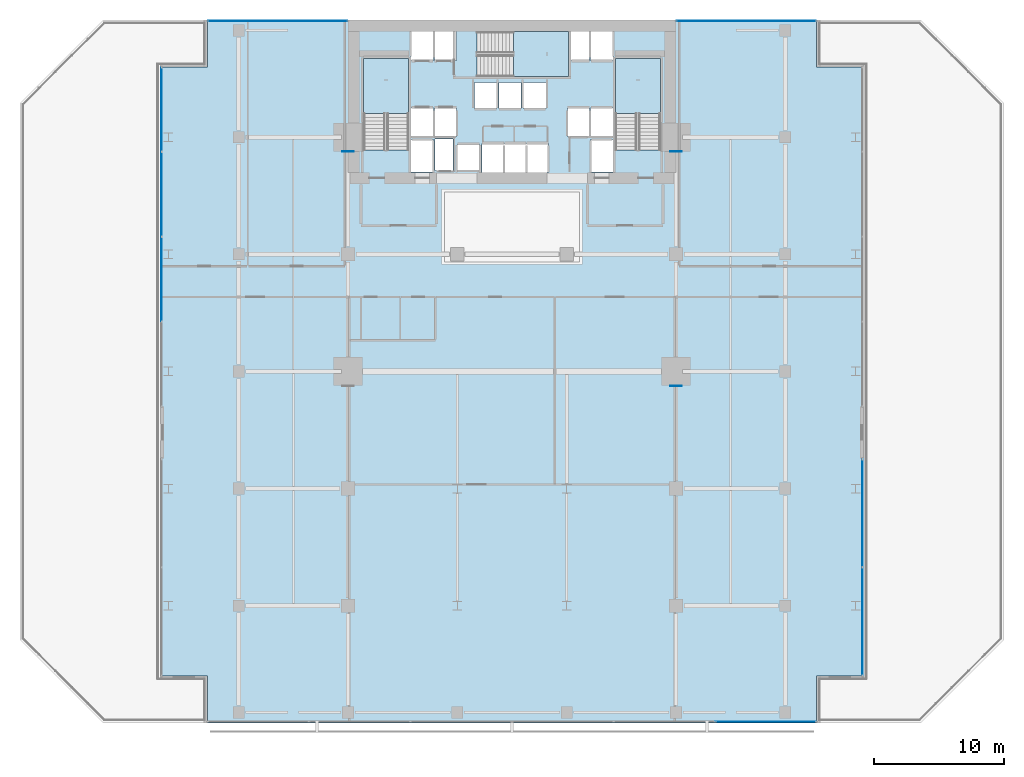
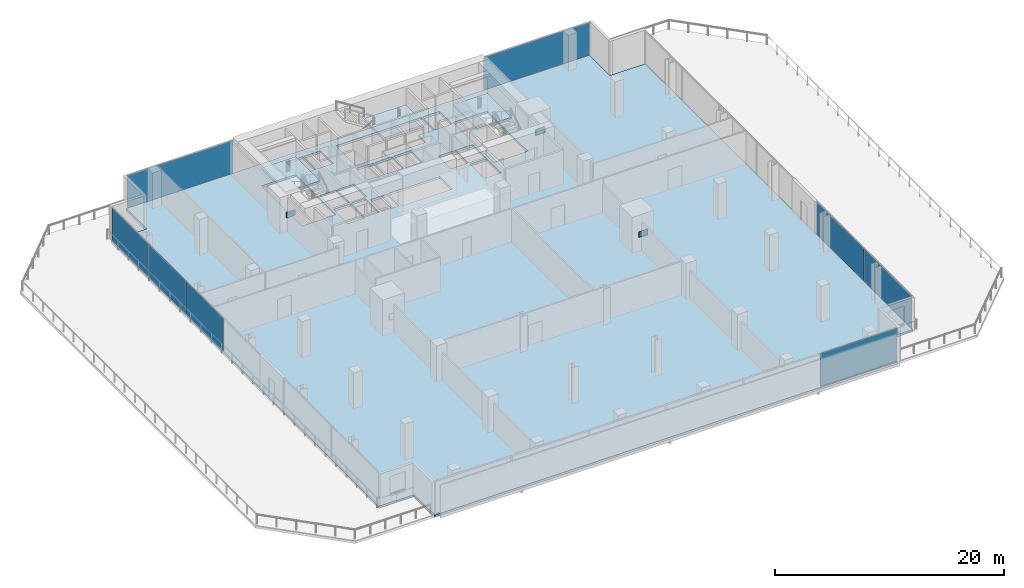
# One storey, part 23 of 31: 11 plates, 4 slabs, 8 elements without a shape of their own.
"""IFC4 building model written with IfcOpenShell, lengths in metres."""

import ifcopenshell
import ifcopenshell.guid

model = None  # the IFC model being written
_history = None  # IfcOwnerHistory: only IFC2X3 demands one
_inside = {}  # id of a spatial element -> (the spatial element, [elements in it])
_under = {}  # id of a project, library or spatial element -> (it, [spatial elements below it])
_declared = {}  # id of a project -> (the project, [libraries it declares])
_typed = {}  # id of a type object -> (the type object, [elements of that type])
_made_of = {}  # id of a material, layer set ... -> (it, [elements and type objects made of it])


def new_model(schema):
    """Start an empty IFC model of exactly this schema.

    Asked for "IFC4X3", IfcOpenShell would pick the latest addendum, in which some entities
    have other attributes; the version numbers below select the first issue.
    IFC2X3 requires an IfcOwnerHistory on every rooted entity: one is made here for all.
    """
    global model, _history
    if schema == "IFC4X3":
        model = ifcopenshell.file(schema_version=(4, 3, 0, 0))
    else:
        model = ifcopenshell.file(schema=schema)
    _inside.clear()
    _under.clear()
    _declared.clear()
    _typed.clear()
    _made_of.clear()
    _history = None
    if model.schema == "IFC2X3":
        org = make("IfcOrganization", Name="unknown")
        user = make(
            "IfcPersonAndOrganization",
            ThePerson=make("IfcPerson", FamilyName="unknown"),
            TheOrganization=org,
        )
        app = make(
            "IfcApplication",
            ApplicationDeveloper=org,
            Version="unknown",
            ApplicationFullName="unknown",
            ApplicationIdentifier="unknown",
        )
        _history = make(
            "IfcOwnerHistory",
            OwningUser=user,
            OwningApplication=app,
            ChangeAction="ADDED",
            CreationDate=0,
        )
    return model


def make(cls, **values):
    """One entity of the class cls with the attributes given. An attribute that is None is left unset."""
    return model.create_entity(
        cls, **{name: value for name, value in values.items() if value is not None}
    )


def rooted(cls, **values):
    """An entity with a GlobalId (a new one), such as an element, a storey or a relation."""
    return make(cls, GlobalId=ifcopenshell.guid.new(), OwnerHistory=_history, **values)


def si_unit(unit_type, name, prefix=None):
    """IfcSIUnit, for example si_unit("LENGTHUNIT", "METRE", prefix="MILLI")."""
    return make("IfcSIUnit", UnitType=unit_type, Prefix=prefix, Name=name)


def assignment(units):
    """IfcUnitAssignment: the units of a project."""
    return None if units is None else make("IfcUnitAssignment", Units=units)


def point(xyz):
    """IfcCartesianPoint."""
    return None if xyz is None else make("IfcCartesianPoint", Coordinates=xyz)


def direction(xyz):
    """IfcDirection."""
    return None if xyz is None else make("IfcDirection", DirectionRatios=xyz)


def frame(location, z_axis=None, x_axis=None):
    """IfcAxis2Placement3D, a coordinate frame: its origin and axes. An axis left out is left unset."""
    return make(
        "IfcAxis2Placement3D",
        Location=point(location),
        Axis=direction(z_axis),
        RefDirection=direction(x_axis),
    )


def frame_2d(location, x_axis=None):
    """IfcAxis2Placement2D, a coordinate frame in the plane: its origin and x axis."""
    return make(
        "IfcAxis2Placement2D", Location=point(location), RefDirection=direction(x_axis)
    )


def origin():
    """The frame at (0, 0, 0) with its axes left unset."""
    return frame((0.0, 0.0, 0.0))


def origin_2d():
    """The frame at (0, 0) in the plane with its x axis left unset."""
    return frame_2d((0.0, 0.0))


def place(relative_to, where):
    """IfcLocalPlacement: puts the frame where relative to a parent placement (None: the world)."""
    return make(
        "IfcLocalPlacement", PlacementRelTo=relative_to, RelativePlacement=where
    )


def context(
    kind, dimensions, precision=None, world=None, true_north=None, identifier=None
):
    """IfcGeometricRepresentationContext, for example the 3D "Model" context."""
    return make(
        "IfcGeometricRepresentationContext",
        ContextIdentifier=identifier,
        ContextType=kind,
        CoordinateSpaceDimension=dimensions,
        Precision=precision,
        WorldCoordinateSystem=world,
        TrueNorth=true_north,
    )


def subcontext(parent, identifier, kind, view, scale=None):
    """IfcGeometricRepresentationSubContext, for example "Body" below "Model"."""
    return make(
        "IfcGeometricRepresentationSubContext",
        ContextIdentifier=identifier,
        ContextType=kind,
        ParentContext=parent,
        TargetScale=scale,
        TargetView=view,
    )


def project(units=None, contexts=None):
    """IfcProject with its units and contexts."""
    return rooted(
        "IfcProject",
        Name="project",
        RepresentationContexts=contexts,
        UnitsInContext=assignment(units),
    )


def spatial(cls, under=None, at=None, **own):
    """A site, building, storey or space (cls), placed at a placement, below another one or the project."""
    s = rooted(cls, ObjectPlacement=at, **own)
    if under is not None:
        _under.setdefault(under.id(), (under, []))[1].append(s)
    return s


def polyline(points):
    """IfcPolyline through the points."""
    return make("IfcPolyline", Points=[point(p) for p in points])


def profile(cls, at=None, kind="AREA", **sizes):
    """A parametric profile (cls). Its sizes go by their IFC names, for example OverallWidth=200.0."""
    return make(cls, ProfileType=kind, Position=at, **sizes)


def rectangle(**sizes):
    """IfcRectangleProfileDef."""
    return profile("IfcRectangleProfileDef", **sizes)


def outline(outer, holes=None, kind="AREA"):
    """IfcArbitraryClosedProfileDef: a profile drawn as a closed curve; with holes, ...WithVoids."""
    if holes is None:
        return make("IfcArbitraryClosedProfileDef", ProfileType=kind, OuterCurve=outer)
    return make(
        "IfcArbitraryProfileDefWithVoids",
        ProfileType=kind,
        OuterCurve=outer,
        InnerCurves=holes,
    )


def extrude(swept, where, along, depth):
    """IfcExtrudedAreaSolid: the profile swept, set in the frame where, extruded along a direction by depth."""
    return make(
        "IfcExtrudedAreaSolid",
        SweptArea=swept,
        Position=where,
        ExtrudedDirection=direction(along),
        Depth=depth,
    )


def shape(context_of_items, identifier, shape_type, items):
    """IfcShapeRepresentation: the items that make up one representation, for example the "Body"."""
    return make(
        "IfcShapeRepresentation",
        ContextOfItems=context_of_items,
        RepresentationIdentifier=identifier,
        RepresentationType=shape_type,
        Items=items,
    )


def material(Name=None, Category=None):
    """IfcMaterial."""
    return make("IfcMaterial", Name=Name, Category=Category)


def layer(
    of_material, thickness, ventilated=None, Name=None, Category=None, Priority=None
):
    """IfcMaterialLayer: one layer of a wall or slab, of a material (None: an air gap)."""
    return make(
        "IfcMaterialLayer",
        Material=of_material,
        LayerThickness=thickness,
        IsVentilated=ventilated,
        Name=Name,
        Category=Category,
        Priority=Priority,
    )


def layer_set(layers, Name=None):
    """IfcMaterialLayerSet."""
    return make("IfcMaterialLayerSet", MaterialLayers=layers, LayerSetName=Name)


def made_of(thing, what):
    """Note that an element or type object is made of a material, layer set ...; save() writes the relation."""
    if what is not None:
        _made_of.setdefault(what.id(), (what, []))[1].append(thing)
    return thing


def type_object(cls, material=None, **own):
    """A type object (cls), such as IfcWallType, which elements share."""
    return made_of(rooted(cls, **own), material)


def element(
    cls,
    number,
    at=None,
    inside=None,
    cuts=None,
    type_object=None,
    material=None,
    context=None,
    identifier="Body",
    shape_type=None,
    held_by="IfcProductDefinitionShape",
    body=None,
    shapes=None,
    **own,
):
    """One element of the class cls, such as IfcWall. Its Tag is "e" and its number.

    at: its placement. inside: the storey or other place that contains it. cuts: it is an
    opening in that element (IfcRelVoidsElement). A single representation is given by context,
    identifier, shape_type and body (its items); several are given by shapes. held_by: the class
    of the entity that holds the representations. save() writes the other relations.
    """
    e = rooted(cls, Tag="e%d" % number, ObjectPlacement=at, **own)
    if body is not None:
        shapes = [shape(context, identifier, shape_type, body)]
    if shapes is not None:
        e.Representation = make(held_by, Representations=shapes)
    if inside is not None:
        _inside.setdefault(inside.id(), (inside, []))[1].append(e)
    if cuts is not None:
        rooted(
            "IfcRelVoidsElement", RelatingBuildingElement=cuts, RelatedOpeningElement=e
        )
    if type_object is not None:
        _typed.setdefault(type_object.id(), (type_object, []))[1].append(e)
    return made_of(e, material)


def aggregate(whole, parts):
    """IfcRelAggregates: a whole, such as a stair, and the parts it consists of."""
    return rooted("IfcRelAggregates", RelatingObject=whole, RelatedObjects=parts)


def save(model, path):
    """Write the relations noted so far, then the file.

    IfcRelAggregates (storeys below a building ...), IfcRelContainedInSpatialStructure (elements
    in a storey), IfcRelDefinesByType, IfcRelAssociatesMaterial and IfcRelDeclares: one each for
    every whole, place, type object, material and project.
    """
    for whole, parts in _under.values():
        aggregate(whole, parts)
    for where, things in _inside.values():
        rooted(
            "IfcRelContainedInSpatialStructure",
            RelatedElements=things,
            RelatingStructure=where,
        )
    for kind, things in _typed.values():
        rooted("IfcRelDefinesByType", RelatedObjects=things, RelatingType=kind)
    for what, things in _made_of.values():
        rooted("IfcRelAssociatesMaterial", RelatedObjects=things, RelatingMaterial=what)
    for by, libraries in _declared.values():
        rooted("IfcRelDeclares", RelatingContext=by, RelatedDefinitions=libraries)
    model.write(path)


model = new_model("IFC4")

# Units and contexts
model_context = context("Model", 3, precision=1e-05, world=origin(), true_north=direction((0.0, 1.0)))
body_context = subcontext(model_context, "Body", "Model", "MODEL_VIEW")
ifc_project = project(units=[si_unit("LENGTHUNIT", "METRE"), si_unit("AREAUNIT", "SQUARE_METRE"), si_unit("VOLUMEUNIT", "CUBIC_METRE"), si_unit("PLANEANGLEUNIT", "RADIAN"), si_unit("MASSUNIT", "GRAM", prefix="KILO")], contexts=[model_context])

# Site, building, storey
site_placement = place(None, origin())
site = spatial("IfcSite", under=ifc_project, at=site_placement, CompositionType="ELEMENT")
building_placement = place(site_placement, origin())
building = spatial("IfcBuilding", under=site, at=building_placement, Name="Maruvema Waterfront Hotel and Observation Tower", CompositionType="ELEMENT")
storey_placement = place(building_placement, frame((0.0, 0.0, 26.949951171875)))
storey = spatial("IfcBuildingStorey", under=building, at=storey_placement, Name="L05", CompositionType="ELEMENT", Elevation=26.949951171875)

# Slab
ifc_material_1 = material(Name="Concrete C50/60", Category="concrete")
ifc_layer_1 = layer(ifc_material_1, 0.239990234375, Name="Reinforced Concrete Floor Slab 240 mm")
ifc_layer_set_1 = layer_set([ifc_layer_1], Name="Concrete C50/60")
slab_type_1 = type_object("IfcSlabType", Name="Reinforced Concrete Floor Slab 240 mm", PredefinedType="FLOOR", material=ifc_layer_set_1)
slab_1_placement = place(storey_placement, frame((0.0, 0.0, -0.239990234375)))
element("IfcSlab", 1, at=slab_1_placement, inside=storey, type_object=slab_type_1, Name="L05 Structural Floor Slab", PredefinedType="FLOOR", context=body_context, shape_type="SweptSolid", body=[
    extrude(outline(polyline([(14.39990234375, 0.0), (61.199951171875, 0.0), (61.199951171875, 3.60009765625), (64.800048828125, 3.60009765625), (64.800048828125, 50.39990234375), (61.199951171875, 50.39990234375), (61.199951171875, 54.0), (14.39990234375, 54.0), (14.39990234375, 50.39990234375), (10.800048828125, 50.39990234375), (10.800048828125, 3.60009765625), (14.39990234375, 3.60009765625), (14.39990234375, 0.0)]), holes=[polyline([(26.39990234375, 44.00048828125), (26.39990234375, 51.050048828125), (29.85009765625, 51.050048828125), (29.85009765625, 44.00048828125), (26.39990234375, 44.00048828125)]), polyline([(30.050048828125, 44.800048828125), (31.75, 44.800048828125), (31.75, 42.320068359375), (30.050048828125, 42.320068359375), (30.050048828125, 44.800048828125)]), polyline([(31.75, 47.25), (31.75, 45.050048828125), (30.050048828125, 45.050048828125), (30.050048828125, 47.25), (31.75, 47.25)]), polyline([(31.75, 53.10009765625), (31.75, 50.89990234375), (30.050048828125, 50.89990234375), (30.050048828125, 53.10009765625), (31.75, 53.10009765625)]), polyline([(33.280029296875, 44.860107421875), (33.280029296875, 42.43994140625), (31.8798828125, 42.43994140625), (31.8798828125, 44.860107421875), (33.280029296875, 44.860107421875)]), polyline([(31.85009765625, 47.25), (33.550048828125, 47.25), (33.550048828125, 45.050048828125), (31.85009765625, 45.050048828125), (31.85009765625, 47.25)]), polyline([(31.85009765625, 53.10009765625), (33.550048828125, 53.10009765625), (33.550048828125, 50.89990234375), (31.85009765625, 50.89990234375), (31.85009765625, 53.10009765625)]), polyline([(33.60009765625, 44.449951171875), (35.300048828125, 44.449951171875), (35.300048828125, 42.449951171875), (33.60009765625, 42.449951171875), (33.60009765625, 44.449951171875)]), polyline([(34.89990234375, 49.199951171875), (36.60009765625, 49.199951171875), (36.60009765625, 47.199951171875), (34.89990234375, 47.199951171875), (34.89990234375, 49.199951171875)]), polyline([(38.5, 49.199951171875), (38.5, 47.199951171875), (36.800048828125, 47.199951171875), (36.800048828125, 49.199951171875), (38.5, 49.199951171875)]), polyline([(35.5, 44.5), (40.60009765625, 44.5), (40.60009765625, 42.300048828125), (35.5, 42.300048828125), (35.5, 44.5)]), polyline([(43.75, 50.89990234375), (42.14990234375, 50.89990234375), (42.14990234375, 49.64990234375), (35.1005859375, 49.64990234375), (35.1005859375, 53.10009765625), (43.75, 53.10009765625), (43.75, 50.89990234375)]), polyline([(40.39990234375, 49.199951171875), (40.39990234375, 47.199951171875), (38.699951171875, 47.199951171875), (38.699951171875, 49.199951171875), (40.39990234375, 49.199951171875)]), polyline([(43.75, 47.25), (43.75, 45.050048828125), (42.050048828125, 45.050048828125), (42.050048828125, 47.25), (43.75, 47.25)]), polyline([(45.550048828125, 44.800048828125), (45.550048828125, 42.320068359375), (43.85009765625, 42.320068359375), (43.85009765625, 44.800048828125), (45.550048828125, 44.800048828125)]), polyline([(43.85009765625, 47.25), (45.550048828125, 47.25), (45.550048828125, 45.050048828125), (43.85009765625, 45.050048828125), (43.85009765625, 47.25)]), polyline([(45.550048828125, 53.10009765625), (45.550048828125, 50.89990234375), (43.85009765625, 50.89990234375), (43.85009765625, 53.10009765625), (45.550048828125, 53.10009765625)]), polyline([(45.75, 51.050048828125), (49.199951171875, 51.050048828125), (49.199951171875, 44.00048828125), (45.75, 44.00048828125), (45.75, 51.050048828125)])]), origin(), (0.0, 0.0, 1.0), 0.239990234375),
])

# Curtain wall, plate
ifc_material_2 = material(Name="Anodised bronze aluminium and solar-control low-E IGU", Category="aluminium")
ifc_layer_2 = layer(ifc_material_2, 0.159912109375, Name="Zone 1 Bronze Inner Thermal Curtain Wall System CW-02")
ifc_layer_set_2 = layer_set([ifc_layer_2], Name="Anodised bronze aluminium and solar-control low-E IGU")
curtain_wall_type = type_object("IfcCurtainWallType", Name="Zone 1 Bronze Inner Thermal Curtain Wall System CW-02", PredefinedType="USERDEFINED", material=ifc_layer_set_2)
curtain_wall_1_placement = place(storey_placement, origin())
curtain_wall_1 = element("IfcCurtainWall", 2, at=curtain_wall_1_placement, inside=storey, type_object=curtain_wall_type, Name="L05 Curtain Wall CW-L05-S", ObjectType="UNITISED CURTAIN WALL", PredefinedType="USERDEFINED")
ifc_material_3 = material(Name="Laminated low-E solar-control double glazing", Category="glass")
ifc_layer_3 = layer(ifc_material_3, 0.035888671875, Name="Solar Control Double-Glazed Curtain Panel 36 mm")
ifc_layer_set_3 = layer_set([ifc_layer_3], Name="Laminated low-E solar-control double glazing")
plate_type_1 = type_object("IfcPlateType", Name="Solar Control Double-Glazed Curtain Panel 36 mm", PredefinedType="CURTAIN_PANEL", material=ifc_layer_set_3)
plate_1_placement = place(storey_placement, frame((57.284912109375, 0.080078125, 0.06005859375), z_axis=(0.0, 0.0, 1.0), x_axis=(1.0, 0.0, 0.0)))
plate_1 = element("IfcPlate", 3, at=plate_1_placement, type_object=plate_type_1, Name="CW-02 panel 6.1", PredefinedType="CURTAIN_PANEL", context=body_context, shape_type="SweptSolid", body=[
    extrude(rectangle(XDim=7.7099609375, YDim=0.028076171875, at=origin_2d()), origin(), (0.0, 0.0, 1.0), 3.489990234375),
])
aggregate(curtain_wall_1, [plate_1])

# Curtain wall, plates
curtain_wall_2_placement = place(storey_placement, origin())
curtain_wall_2 = element("IfcCurtainWall", 4, at=curtain_wall_2_placement, inside=storey, type_object=curtain_wall_type, Name="L05 Curtain Wall CW-L05-WN", ObjectType="UNITISED CURTAIN WALL", PredefinedType="USERDEFINED")
plate_2_placement = place(storey_placement, frame((10.8798828125, 47.12255859375, 0.06005859375), z_axis=(0.0, 0.0, 1.0), x_axis=(0.0, -1.0, 0.0)))
plate_2 = element("IfcPlate", 5, at=plate_2_placement, type_object=plate_type_1, Name="CW-02 panel 1.1", PredefinedType="CURTAIN_PANEL", context=body_context, shape_type="SweptSolid", body=[
    extrude(rectangle(XDim=6.43505859375, YDim=0.028076171875, at=origin_2d()), origin(), (0.0, 0.0, 1.0), 3.489990234375),
])
plate_3_placement = place(storey_placement, frame((10.8798828125, 40.612548828125, 0.06005859375), z_axis=(0.0, 0.0, 1.0), x_axis=(0.0, -1.0, 0.0)))
plate_3 = element("IfcPlate", 6, at=plate_3_placement, type_object=plate_type_1, Name="CW-02 panel 2.1", PredefinedType="CURTAIN_PANEL", context=body_context, shape_type="SweptSolid", body=[
    extrude(rectangle(XDim=6.465087890625, YDim=0.028076171875, at=origin_2d()), origin(), (0.0, 0.0, 1.0), 3.489990234375),
])
plate_4_placement = place(storey_placement, frame((10.8798828125, 34.08740234375, 0.06005859375), z_axis=(0.0, 0.0, 1.0), x_axis=(0.0, -1.0, 0.0)))
plate_4 = element("IfcPlate", 7, at=plate_4_placement, type_object=plate_type_1, Name="CW-02 panel 3.1", PredefinedType="CURTAIN_PANEL", context=body_context, shape_type="SweptSolid", body=[
    extrude(rectangle(XDim=6.465087890625, YDim=0.028076171875, at=origin_2d()), origin(), (0.0, 0.0, 1.0), 3.489990234375),
])
aggregate(curtain_wall_2, [plate_2, plate_3, plate_4])

curtain_wall_3_placement = place(storey_placement, origin())
curtain_wall_3 = element("IfcCurtainWall", 8, at=curtain_wall_3_placement, inside=storey, type_object=curtain_wall_type, Name="L05 Curtain Wall CW-L05-ES", ObjectType="UNITISED CURTAIN WALL", PredefinedType="USERDEFINED")
plate_5_placement = place(storey_placement, frame((64.719970703125, 7.7900390625, 0.06005859375), z_axis=(0.0, 0.0, 1.0), x_axis=(0.0, 1.0, 0.0)))
plate_5 = element("IfcPlate", 9, at=plate_5_placement, type_object=plate_type_1, Name="CW-02 panel 1.1", PredefinedType="CURTAIN_PANEL", context=body_context, shape_type="SweptSolid", body=[
    extrude(rectangle(XDim=8.260009765625, YDim=0.028076171875, at=origin_2d()), origin(), (0.0, 0.0, 1.0), 3.489990234375),
])
plate_6_placement = place(storey_placement, frame((64.719970703125, 16.110107421875, 0.06005859375), z_axis=(0.0, 0.0, 1.0), x_axis=(0.0, 1.0, 0.0)))
plate_6 = element("IfcPlate", 10, at=plate_6_placement, type_object=plate_type_1, Name="CW-02 panel 2.1", PredefinedType="CURTAIN_PANEL", context=body_context, shape_type="SweptSolid", body=[
    extrude(rectangle(XDim=8.260009765625, YDim=0.028076171875, at=origin_2d()), origin(), (0.0, 0.0, 1.0), 3.489990234375),
])
aggregate(curtain_wall_3, [plate_5, plate_6])

# Curtain wall, plate
curtain_wall_4_placement = place(storey_placement, origin())
curtain_wall_4 = element("IfcCurtainWall", 11, at=curtain_wall_4_placement, inside=storey, type_object=curtain_wall_type, Name="L05 Curtain Wall CW-L05-NW", ObjectType="UNITISED CURTAIN WALL", PredefinedType="USERDEFINED")
plate_7_placement = place(storey_placement, frame((19.800048828125, 53.919921875, 0.06005859375), z_axis=(0.0, 0.0, 1.0), x_axis=(-1.0, 0.0, 0.0)))
plate_7 = element("IfcPlate", 12, at=plate_7_placement, type_object=plate_type_1, Name="CW-02 panel 1.1", PredefinedType="CURTAIN_PANEL", context=body_context, shape_type="SweptSolid", body=[
    extrude(rectangle(XDim=10.679931640625, YDim=0.028076171875, at=origin_2d()), origin(), (0.0, 0.0, 1.0), 3.489990234375),
])
aggregate(curtain_wall_4, [plate_7])

curtain_wall_5_placement = place(storey_placement, origin())
curtain_wall_5 = element("IfcCurtainWall", 13, at=curtain_wall_5_placement, inside=storey, type_object=curtain_wall_type, Name="L05 Curtain Wall CW-L05-NE", ObjectType="UNITISED CURTAIN WALL", PredefinedType="USERDEFINED")
plate_8_placement = place(storey_placement, frame((55.800048828125, 53.919921875, 0.06005859375), z_axis=(0.0, 0.0, 1.0), x_axis=(-1.0, 0.0, 0.0)))
plate_8 = element("IfcPlate", 14, at=plate_8_placement, type_object=plate_type_1, Name="CW-02 panel 1.1", PredefinedType="CURTAIN_PANEL", context=body_context, shape_type="SweptSolid", body=[
    extrude(rectangle(XDim=10.679931640625, YDim=0.028076171875, at=origin_2d()), origin(), (0.0, 0.0, 1.0), 3.489990234375),
])
aggregate(curtain_wall_5, [plate_8])

# Stair, slab
ifc_material_4 = material(Name="Concrete C50/60", Category="concrete")
stair_type = type_object("IfcStairType", Name="Dogleg Exit Stair 1650 mm (22R x 175.0 mm)", PredefinedType="HALF_TURN_STAIR", material=ifc_material_4)
stair_1_placement = place(storey_placement, origin())
stair_1 = element("IfcStair", 15, at=stair_1_placement, inside=storey, type_object=stair_type, Name="L05 ST-01", PredefinedType="HALF_TURN_STAIR")
ifc_material_5 = material(Name="Concrete C50/60", Category="concrete")
ifc_layer_4 = layer(ifc_material_5, 0.219970703125, Name="Stair Concrete Landing Slab 220 mm")
ifc_layer_set_4 = layer_set([ifc_layer_4], Name="Concrete C50/60")
slab_type_2 = type_object("IfcSlabType", Name="Stair Concrete Landing Slab 220 mm", PredefinedType="LANDING", material=ifc_layer_set_4)
slab_2_placement = place(storey_placement, frame((0.0, 0.0, 1.705078125)))
slab_2 = element("IfcSlab", 16, at=slab_2_placement, type_object=slab_type_2, Name="ST-01 landing 1", PredefinedType="LANDING", context=body_context, shape_type="SweptSolid", body=[
    extrude(outline(polyline([(29.85009765625, 46.800048828125), (29.85009765625, 51.050048828125), (26.39990234375, 51.050048828125), (26.39990234375, 46.800048828125), (29.85009765625, 46.800048828125)])), origin(), (0.0, 0.0, 1.0), 0.219970703125),
])
aggregate(stair_1, [slab_2])

stair_2_placement = place(storey_placement, origin())
stair_2 = element("IfcStair", 17, at=stair_2_placement, inside=storey, type_object=stair_type, Name="L05 ST-02", PredefinedType="HALF_TURN_STAIR")
slab_3_placement = place(storey_placement, frame((0.0, 0.0, 1.705078125)))
slab_3 = element("IfcSlab", 18, at=slab_3_placement, type_object=slab_type_2, Name="ST-02 landing 1", PredefinedType="LANDING", context=body_context, shape_type="SweptSolid", body=[
    extrude(outline(polyline([(37.89990234375, 49.64990234375), (42.14990234375, 49.64990234375), (42.14990234375, 53.10009765625), (37.89990234375, 53.10009765625), (37.89990234375, 49.64990234375)])), origin(), (0.0, 0.0, 1.0), 0.219970703125),
])
aggregate(stair_2, [slab_3])

stair_3_placement = place(storey_placement, origin())
stair_3 = element("IfcStair", 19, at=stair_3_placement, inside=storey, type_object=stair_type, Name="L05 ST-03", PredefinedType="HALF_TURN_STAIR")
slab_4_placement = place(storey_placement, frame((0.0, 0.0, 1.705078125)))
slab_4 = element("IfcSlab", 20, at=slab_4_placement, type_object=slab_type_2, Name="ST-03 landing 1", PredefinedType="LANDING", context=body_context, shape_type="SweptSolid", body=[
    extrude(outline(polyline([(49.199951171875, 46.800048828125), (49.199951171875, 51.050048828125), (45.75, 51.050048828125), (45.75, 46.800048828125), (49.199951171875, 46.800048828125)])), origin(), (0.0, 0.0, 1.0), 0.219970703125),
])
aggregate(stair_3, [slab_4])

# Plates
ifc_material_6 = material(Name="Steel ABNT NBR 7007 AR 415 (ASTM A572 Grade 50)", Category="steel")
ifc_layer_5 = layer(ifc_material_6, 0.0400390625, Name="Structural Truss Node Gusset Plate 40 mm")
ifc_layer_set_5 = layer_set([ifc_layer_5], Name="Steel ABNT NBR 7007 AR 415 (ASTM A572 Grade 50)")
plate_type_2 = type_object("IfcPlateType", Name="Structural Truss Node Gusset Plate 40 mm", PredefinedType="USERDEFINED", material=ifc_layer_set_5)
for number, where, z_axis, x_axis, name in (
    (21, (50.39990234375, 25.8798828125, 1.5), (0.0, 0.0, 1.0), (1.0, 0.0, 0.0), "L05 MC-02 Moment Frame Continuity Gusset Plate"),
    (22, (25.199951171875, 43.8798828125, 1.5), (0.0, 0.0, 1.0), (1.0, 0.0, 0.0), "L05 MC-03 Moment Frame Continuity Gusset Plate"),
    (23, (50.39990234375, 43.8798828125, 1.5), (0.0, 0.0, 1.0), (1.0, 0.0, 0.0), "L05 MC-04 Moment Frame Continuity Gusset Plate"),
):
    element("IfcPlate", number, at=place(storey_placement, frame(where, z_axis=z_axis, x_axis=x_axis)), inside=storey, type_object=plate_type_2, Name=name, ObjectType="GUSSET_PLATE", PredefinedType="USERDEFINED", context=body_context, shape_type="SweptSolid", body=[
        extrude(rectangle(XDim=0.89990234375, YDim=0.0400390625, at=origin_2d()), origin(), (0.0, 0.0, 1.0), 0.60009765625),
    ])

save(model, "model.ifc")
